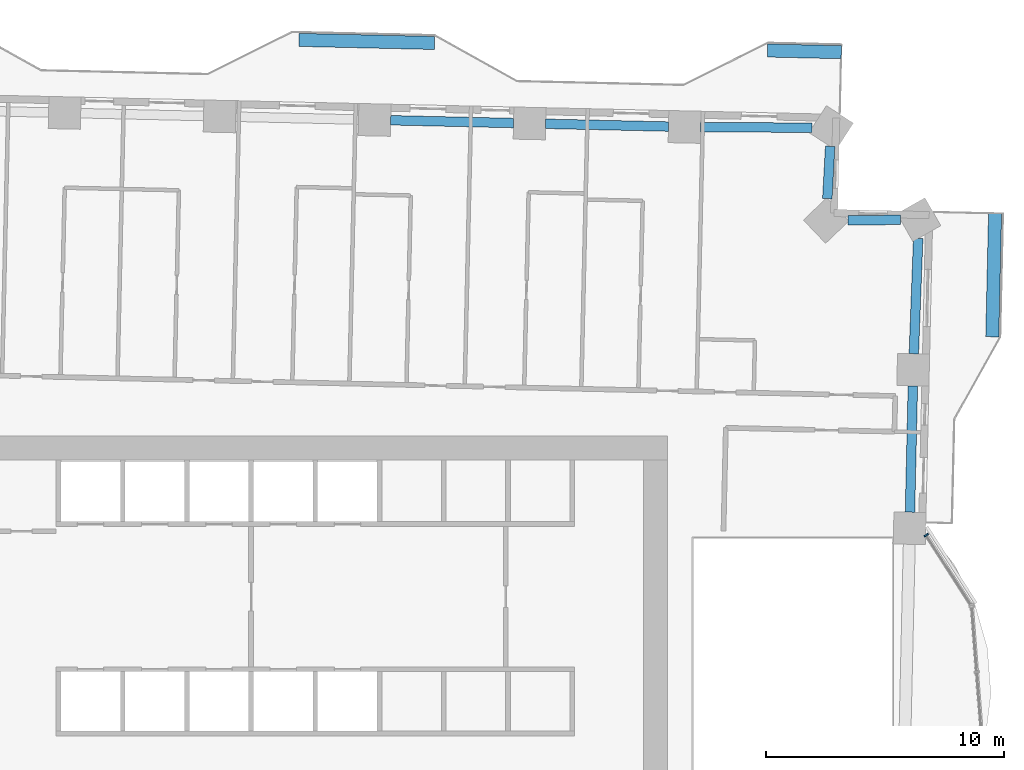
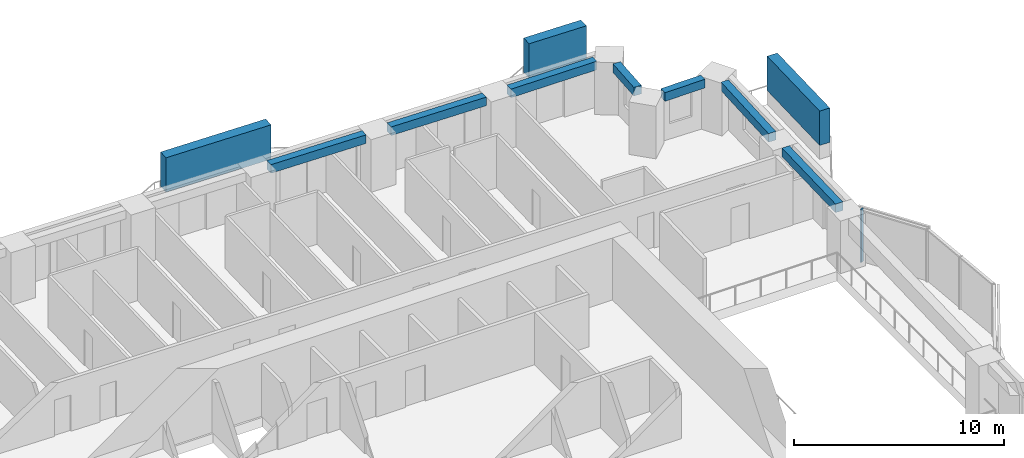
# One storey, part 4 of 16: 7 beams, 4 members, 1 element without a shape of its own.
"""IFC4 building model written with IfcOpenShell, lengths in metres."""

import ifcopenshell
import ifcopenshell.guid

model = None  # the IFC model being written
_history = None  # IfcOwnerHistory: only IFC2X3 demands one
_inside = {}  # id of a spatial element -> (the spatial element, [elements in it])
_under = {}  # id of a project, library or spatial element -> (it, [spatial elements below it])
_declared = {}  # id of a project -> (the project, [libraries it declares])
_typed = {}  # id of a type object -> (the type object, [elements of that type])
_made_of = {}  # id of a material, layer set ... -> (it, [elements and type objects made of it])


def new_model(schema):
    """Start an empty IFC model of exactly this schema.

    Asked for "IFC4X3", IfcOpenShell would pick the latest addendum, in which some entities
    have other attributes; the version numbers below select the first issue.
    IFC2X3 requires an IfcOwnerHistory on every rooted entity: one is made here for all.
    """
    global model, _history
    if schema == "IFC4X3":
        model = ifcopenshell.file(schema_version=(4, 3, 0, 0))
    else:
        model = ifcopenshell.file(schema=schema)
    _inside.clear()
    _under.clear()
    _declared.clear()
    _typed.clear()
    _made_of.clear()
    _history = None
    if model.schema == "IFC2X3":
        org = make("IfcOrganization", Name="unknown")
        user = make(
            "IfcPersonAndOrganization",
            ThePerson=make("IfcPerson", FamilyName="unknown"),
            TheOrganization=org,
        )
        app = make(
            "IfcApplication",
            ApplicationDeveloper=org,
            Version="unknown",
            ApplicationFullName="unknown",
            ApplicationIdentifier="unknown",
        )
        _history = make(
            "IfcOwnerHistory",
            OwningUser=user,
            OwningApplication=app,
            ChangeAction="ADDED",
            CreationDate=0,
        )
    return model


def make(cls, **values):
    """One entity of the class cls with the attributes given. An attribute that is None is left unset."""
    return model.create_entity(
        cls, **{name: value for name, value in values.items() if value is not None}
    )


def rooted(cls, **values):
    """An entity with a GlobalId (a new one), such as an element, a storey or a relation."""
    return make(cls, GlobalId=ifcopenshell.guid.new(), OwnerHistory=_history, **values)


def si_unit(unit_type, name, prefix=None):
    """IfcSIUnit, for example si_unit("LENGTHUNIT", "METRE", prefix="MILLI")."""
    return make("IfcSIUnit", UnitType=unit_type, Prefix=prefix, Name=name)


def assignment(units):
    """IfcUnitAssignment: the units of a project."""
    return None if units is None else make("IfcUnitAssignment", Units=units)


def point(xyz):
    """IfcCartesianPoint."""
    return None if xyz is None else make("IfcCartesianPoint", Coordinates=xyz)


def direction(xyz):
    """IfcDirection."""
    return None if xyz is None else make("IfcDirection", DirectionRatios=xyz)


def frame(location, z_axis=None, x_axis=None):
    """IfcAxis2Placement3D, a coordinate frame: its origin and axes. An axis left out is left unset."""
    return make(
        "IfcAxis2Placement3D",
        Location=point(location),
        Axis=direction(z_axis),
        RefDirection=direction(x_axis),
    )


def frame_2d(location, x_axis=None):
    """IfcAxis2Placement2D, a coordinate frame in the plane: its origin and x axis."""
    return make(
        "IfcAxis2Placement2D", Location=point(location), RefDirection=direction(x_axis)
    )


def origin():
    """The frame at (0, 0, 0) with its axes left unset."""
    return frame((0.0, 0.0, 0.0))


def origin_2d():
    """The frame at (0, 0) in the plane with its x axis left unset."""
    return frame_2d((0.0, 0.0))


def place(relative_to, where):
    """IfcLocalPlacement: puts the frame where relative to a parent placement (None: the world)."""
    return make(
        "IfcLocalPlacement", PlacementRelTo=relative_to, RelativePlacement=where
    )


def context(
    kind, dimensions, precision=None, world=None, true_north=None, identifier=None
):
    """IfcGeometricRepresentationContext, for example the 3D "Model" context."""
    return make(
        "IfcGeometricRepresentationContext",
        ContextIdentifier=identifier,
        ContextType=kind,
        CoordinateSpaceDimension=dimensions,
        Precision=precision,
        WorldCoordinateSystem=world,
        TrueNorth=true_north,
    )


def subcontext(parent, identifier, kind, view, scale=None):
    """IfcGeometricRepresentationSubContext, for example "Body" below "Model"."""
    return make(
        "IfcGeometricRepresentationSubContext",
        ContextIdentifier=identifier,
        ContextType=kind,
        ParentContext=parent,
        TargetScale=scale,
        TargetView=view,
    )


def project(units=None, contexts=None):
    """IfcProject with its units and contexts."""
    return rooted(
        "IfcProject",
        Name="project",
        RepresentationContexts=contexts,
        UnitsInContext=assignment(units),
    )


def spatial(cls, under=None, at=None, **own):
    """A site, building, storey or space (cls), placed at a placement, below another one or the project."""
    s = rooted(cls, ObjectPlacement=at, **own)
    if under is not None:
        _under.setdefault(under.id(), (under, []))[1].append(s)
    return s


def profile(cls, at=None, kind="AREA", **sizes):
    """A parametric profile (cls). Its sizes go by their IFC names, for example OverallWidth=200.0."""
    return make(cls, ProfileType=kind, Position=at, **sizes)


def rectangle(**sizes):
    """IfcRectangleProfileDef."""
    return profile("IfcRectangleProfileDef", **sizes)


def extrude(swept, where, along, depth):
    """IfcExtrudedAreaSolid: the profile swept, set in the frame where, extruded along a direction by depth."""
    return make(
        "IfcExtrudedAreaSolid",
        SweptArea=swept,
        Position=where,
        ExtrudedDirection=direction(along),
        Depth=depth,
    )


def shape(context_of_items, identifier, shape_type, items):
    """IfcShapeRepresentation: the items that make up one representation, for example the "Body"."""
    return make(
        "IfcShapeRepresentation",
        ContextOfItems=context_of_items,
        RepresentationIdentifier=identifier,
        RepresentationType=shape_type,
        Items=items,
    )


def material(Name=None, Category=None):
    """IfcMaterial."""
    return make("IfcMaterial", Name=Name, Category=Category)


def material_profile(
    of_material, cross_section, Name=None, Category=None, Priority=None
):
    """IfcMaterialProfile: a cross section and its material."""
    return make(
        "IfcMaterialProfile",
        Name=Name,
        Material=of_material,
        Profile=cross_section,
        Priority=Priority,
        Category=Category,
    )


def profile_set(profiles, Name=None, composite=None):
    """IfcMaterialProfileSet."""
    return make(
        "IfcMaterialProfileSet",
        Name=Name,
        MaterialProfiles=profiles,
        CompositeProfile=composite,
    )


def made_of(thing, what):
    """Note that an element or type object is made of a material, layer set ...; save() writes the relation."""
    if what is not None:
        _made_of.setdefault(what.id(), (what, []))[1].append(thing)
    return thing


def type_object(cls, material=None, **own):
    """A type object (cls), such as IfcWallType, which elements share."""
    return made_of(rooted(cls, **own), material)


def element(
    cls,
    number,
    at=None,
    inside=None,
    cuts=None,
    type_object=None,
    material=None,
    context=None,
    identifier="Body",
    shape_type=None,
    held_by="IfcProductDefinitionShape",
    body=None,
    shapes=None,
    **own,
):
    """One element of the class cls, such as IfcWall. Its Tag is "e" and its number.

    at: its placement. inside: the storey or other place that contains it. cuts: it is an
    opening in that element (IfcRelVoidsElement). A single representation is given by context,
    identifier, shape_type and body (its items); several are given by shapes. held_by: the class
    of the entity that holds the representations. save() writes the other relations.
    """
    e = rooted(cls, Tag="e%d" % number, ObjectPlacement=at, **own)
    if body is not None:
        shapes = [shape(context, identifier, shape_type, body)]
    if shapes is not None:
        e.Representation = make(held_by, Representations=shapes)
    if inside is not None:
        _inside.setdefault(inside.id(), (inside, []))[1].append(e)
    if cuts is not None:
        rooted(
            "IfcRelVoidsElement", RelatingBuildingElement=cuts, RelatedOpeningElement=e
        )
    if type_object is not None:
        _typed.setdefault(type_object.id(), (type_object, []))[1].append(e)
    return made_of(e, material)


def aggregate(whole, parts):
    """IfcRelAggregates: a whole, such as a stair, and the parts it consists of."""
    return rooted("IfcRelAggregates", RelatingObject=whole, RelatedObjects=parts)


def save(model, path):
    """Write the relations noted so far, then the file.

    IfcRelAggregates (storeys below a building ...), IfcRelContainedInSpatialStructure (elements
    in a storey), IfcRelDefinesByType, IfcRelAssociatesMaterial and IfcRelDeclares: one each for
    every whole, place, type object, material and project.
    """
    for whole, parts in _under.values():
        aggregate(whole, parts)
    for where, things in _inside.values():
        rooted(
            "IfcRelContainedInSpatialStructure",
            RelatedElements=things,
            RelatingStructure=where,
        )
    for kind, things in _typed.values():
        rooted("IfcRelDefinesByType", RelatedObjects=things, RelatingType=kind)
    for what, things in _made_of.values():
        rooted("IfcRelAssociatesMaterial", RelatedObjects=things, RelatingMaterial=what)
    for by, libraries in _declared.values():
        rooted("IfcRelDeclares", RelatingContext=by, RelatedDefinitions=libraries)
    model.write(path)


model = new_model("IFC4")

# Units and contexts
model_context = context("Model", 3, precision=1e-05, world=origin(), true_north=direction((0.0, 1.0)))
body_context = subcontext(model_context, "Body", "Model", "MODEL_VIEW")
ifc_project = project(units=[si_unit("LENGTHUNIT", "METRE"), si_unit("AREAUNIT", "SQUARE_METRE"), si_unit("VOLUMEUNIT", "CUBIC_METRE"), si_unit("PLANEANGLEUNIT", "RADIAN"), si_unit("MASSUNIT", "GRAM", prefix="KILO")], contexts=[model_context])

# Site, building, storey
site_placement = place(None, origin())
site = spatial("IfcSite", under=ifc_project, at=site_placement, CompositionType="ELEMENT")
building_placement = place(site_placement, origin())
building = spatial("IfcBuilding", under=site, at=building_placement, Name="Mangrove Gate Tower", CompositionType="ELEMENT")
storey_placement = place(building_placement, frame((0.0, 0.0, 116.300048828125)))
storey = spatial("IfcBuildingStorey", under=building, at=storey_placement, Name="L29", CompositionType="ELEMENT", Elevation=116.300048828125)

# Curtain wall, member
ifc_material_1 = material(Name="Aluminium and glass curtain wall", Category="aluminium")
curtain_wall_type = type_object("IfcCurtainWallType", Name="Atrium garden-court glazing wall", PredefinedType="NOTDEFINED", material=ifc_material_1)
curtain_wall_placement = place(storey_placement, origin())
curtain_wall = element("IfcCurtainWall", 1, at=curtain_wall_placement, inside=storey, type_object=curtain_wall_type, Name="Atrium garden-court glazing E1f3", PredefinedType="NOTDEFINED")
ifc_material_2 = material(Name="Aluminium alloy 6063-T6", Category="aluminium")
ifc_material_profile_1 = material_profile(ifc_material_2, rectangle(XDim=0.070068359375, YDim=0.199951171875, at=origin_2d()))
ifc_profile_set_1 = profile_set([ifc_material_profile_1], Name="Aluminium alloy 6063-T6")
member_type_1 = type_object("IfcMemberType", Name="Atrium garden-court glazing mullion 70x200", PredefinedType="MULLION", material=ifc_profile_set_1)
member_1_placement = place(storey_placement, frame((25.67626953125, 7.6337890625, 0.0), z_axis=(0.0, 0.0, 1.0), x_axis=(-0.540510523896, 0.841337253162, 0.0)))
member_1 = element("IfcMember", 2, at=member_1_placement, type_object=member_type_1, Name="CWA mullion 2", PredefinedType="MULLION", context=body_context, shape_type="SweptSolid", body=[
    extrude(rectangle(XDim=0.070068359375, YDim=0.199951171875, at=origin_2d()), origin(), (0.0, 0.0, 1.0), 3.050048828125),
])
aggregate(curtain_wall, [member_1])

# Members
ifc_material_3 = material(Name="Planting on aluminium trellis", Category="aluminium")
ifc_material_profile_2 = material_profile(ifc_material_3, rectangle(XDim=0.550048828125, YDim=2.0, at=origin_2d()))
ifc_profile_set_2 = profile_set([ifc_material_profile_2], Name="Planting on aluminium trellis")
member_type_2 = type_object("IfcMemberType", Name="Balcony greenery screen 550x2000", PredefinedType="USERDEFINED", material=ifc_profile_set_2)
member_2_placement = place(storey_placement, frame((28.451904296875, 15.971923828125, 1.800048828125), z_axis=(0.022726738515, 0.999741714322, 0.0), x_axis=(-0.999741714322, 0.022726738515, 0.0)))
element("IfcMember", 3, at=member_2_placement, inside=storey, type_object=member_type_2, Name="GREEN SCREEN L29 E1.1", ObjectType="PLANTING", PredefinedType="USERDEFINED", context=body_context, shape_type="SweptSolid", body=[
    extrude(rectangle(XDim=0.550048828125, YDim=2.0, at=origin_2d()), origin(), (0.0, 0.0, 1.0), 5.199462890625),
])
member_3_placement = place(storey_placement, frame((-0.69091796875, 28.450927734375, 1.800048828125), z_axis=(0.999744196375, -0.022617290187, 0.0), x_axis=(0.022617290187, 0.999744196375, 0.0)))
element("IfcMember", 4, at=member_3_placement, inside=storey, type_object=member_type_2, Name="GREEN SCREEN L29 N0.1", ObjectType="PLANTING", PredefinedType="USERDEFINED", context=body_context, shape_type="SweptSolid", body=[
    extrude(rectangle(XDim=0.550048828125, YDim=2.0, at=origin_2d()), origin(), (0.0, 0.0, 1.0), 5.699462890625),
])
member_4_placement = place(storey_placement, frame((19.0029296875, 28.00390625, 1.800048828125), z_axis=(0.999747085998, -0.022489198254, 0.0), x_axis=(0.022489198254, 0.999747085998, 0.0)))
element("IfcMember", 5, at=member_4_placement, inside=storey, type_object=member_type_2, Name="GREEN SCREEN L29 N0.2", ObjectType="PLANTING", PredefinedType="USERDEFINED", context=body_context, shape_type="SweptSolid", body=[
    extrude(rectangle(XDim=0.550048828125, YDim=2.0, at=origin_2d()), origin(), (0.0, 0.0, 1.0), 3.104736328125),
])

# Beams
ifc_material_4 = material(Name="Concrete C50/60", Category="concrete")
ifc_material_profile_3 = material_profile(ifc_material_4, rectangle(XDim=0.39990234375, YDim=0.5, at=origin_2d()))
ifc_profile_set_3 = profile_set([ifc_material_profile_3], Name="Concrete C50/60")
beam_type = type_object("IfcBeamType", Name="Edge beam RC 400x500 C50/60", PredefinedType="BEAM", material=ifc_profile_set_3)
beam_1_placement = place(storey_placement, frame((24.993408203125, 8.59912109375, 2.800048828125), z_axis=(0.022659804799, 0.999743233659, 0.0), x_axis=(-0.999743233659, 0.022659804799, 0.0)))
element("IfcBeam", 6, at=beam_1_placement, inside=storey, type_object=beam_type, Name="Edge beam L29 16", PredefinedType="BEAM", context=body_context, shape_type="SweptSolid", body=[
    extrude(rectangle(XDim=0.39990234375, YDim=0.5, at=origin_2d()), origin(), (0.0, 0.0, 1.0), 5.311767578125),
])
beam_2_placement = place(storey_placement, frame((25.15478515625, 15.2587890625, 2.800048828125), z_axis=(0.037881748056, 0.999282228984, 0.0), x_axis=(-0.999282228984, 0.037881748056, 0.0)))
element("IfcBeam", 7, at=beam_2_placement, inside=storey, type_object=beam_type, Name="Edge beam L29 17", PredefinedType="BEAM", context=body_context, shape_type="SweptSolid", body=[
    extrude(rectangle(XDim=0.39990234375, YDim=0.5, at=origin_2d()), origin(), (0.0, 0.0, 1.0), 4.846435546875),
])
beam_3_placement = place(storey_placement, frame((24.59619140625, 20.8876953125, 2.800048828125), z_axis=(-0.999944627484, -0.010523400865, 0.0), x_axis=(0.010523400865, -0.999944627484, 0.0)))
element("IfcBeam", 8, at=beam_3_placement, inside=storey, type_object=beam_type, Name="Edge beam L29 18", PredefinedType="BEAM", context=body_context, shape_type="SweptSolid", body=[
    extrude(rectangle(XDim=0.39990234375, YDim=0.5, at=origin_2d()), origin(), (0.0, 0.0, 1.0), 2.203857421875),
])
beam_4_placement = place(storey_placement, frame((21.5185546875, 21.77880859375, 2.800048828125), z_axis=(0.054456450957, 0.998516146564, 0.0), x_axis=(-0.998516146564, 0.054456450957, 0.0)))
element("IfcBeam", 9, at=beam_4_placement, inside=storey, type_object=beam_type, Name="Edge beam L29 19", PredefinedType="BEAM", context=body_context, shape_type="SweptSolid", body=[
    extrude(rectangle(XDim=0.39990234375, YDim=0.5, at=origin_2d()), origin(), (0.0, 0.0, 1.0), 2.201171875),
])
beam_5_placement = place(storey_placement, frame((20.880859375, 24.758056640625, 2.800048828125), z_axis=(-0.999979817099, 0.006353376611, 0.0), x_axis=(-0.006353376611, -0.999979817099, 0.0)))
element("IfcBeam", 10, at=beam_5_placement, inside=storey, type_object=beam_type, Name="Edge beam L29 20", PredefinedType="BEAM", context=body_context, shape_type="SweptSolid", body=[
    extrude(rectangle(XDim=0.39990234375, YDim=0.5, at=origin_2d()), origin(), (0.0, 0.0, 1.0), 4.68798828125),
])
beam_6_placement = place(storey_placement, frame((14.8427734375, 24.8076171875, 2.800048828125), z_axis=(-0.999742542789, 0.022690265286, 0.0), x_axis=(-0.022690265286, -0.999742542789, 0.0)))
element("IfcBeam", 11, at=beam_6_placement, inside=storey, type_object=beam_type, Name="Edge beam L29 21", PredefinedType="BEAM", context=body_context, shape_type="SweptSolid", body=[
    extrude(rectangle(XDim=0.39990234375, YDim=0.5, at=origin_2d()), origin(), (0.0, 0.0, 1.0), 5.16455078125),
])
beam_7_placement = place(storey_placement, frame((8.329833984375, 24.95556640625, 2.800048828125), z_axis=(-0.999742640111, 0.0226859768, 0.0), x_axis=(-0.0226859768, -0.999742640111, 0.0)))
element("IfcBeam", 12, at=beam_7_placement, inside=storey, type_object=beam_type, Name="Edge beam L29 22", PredefinedType="BEAM", context=body_context, shape_type="SweptSolid", body=[
    extrude(rectangle(XDim=0.39990234375, YDim=0.5, at=origin_2d()), origin(), (0.0, 0.0, 1.0), 5.16552734375),
])

save(model, "model.ifc")
